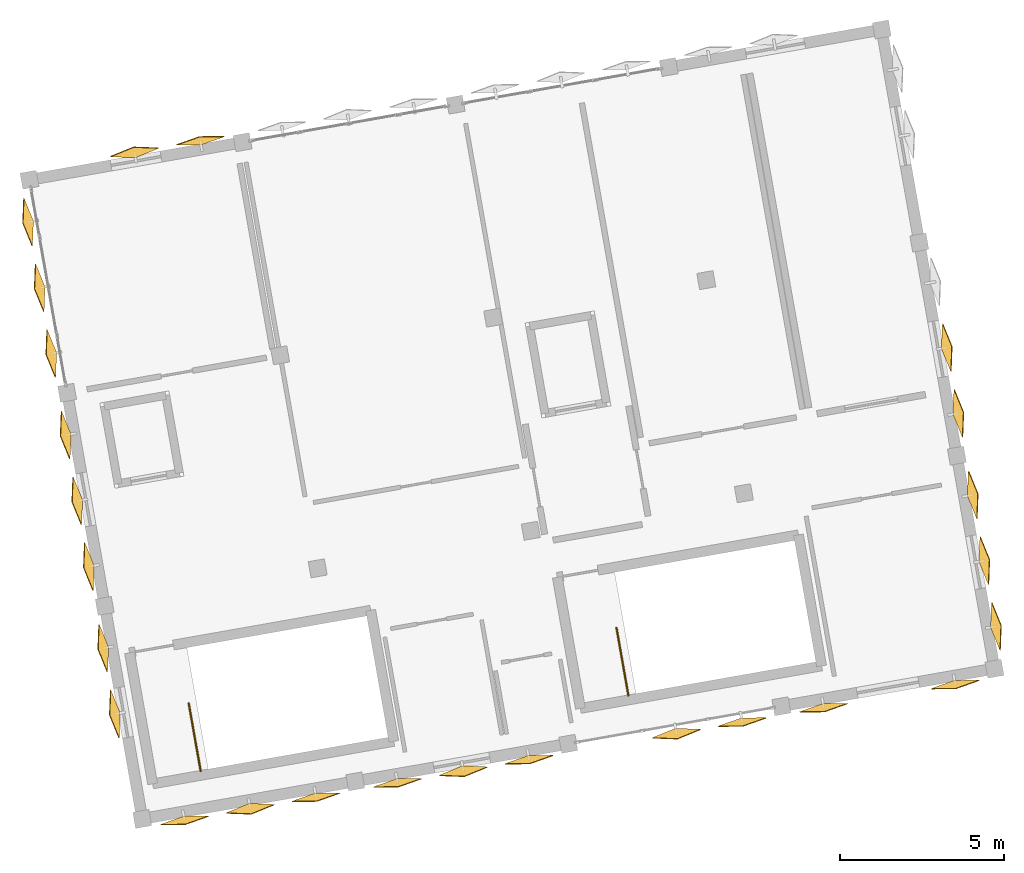
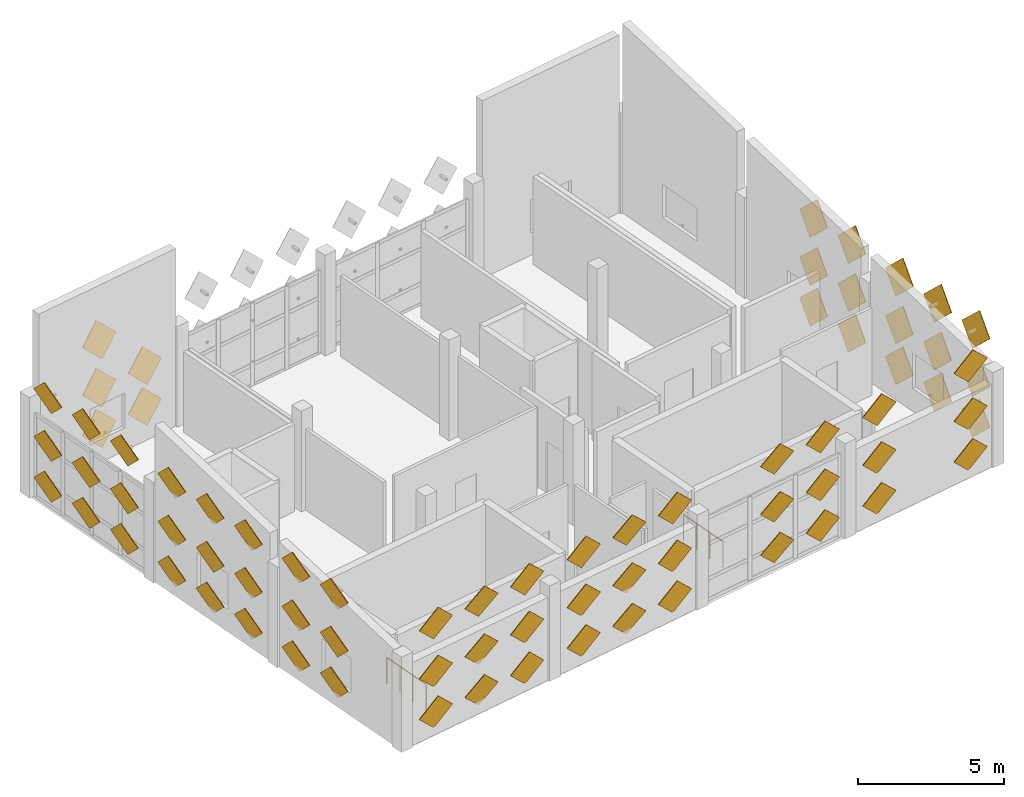
# One storey, part 10 of 11: 74 coverings, 2 railings.
"""IFC4 building model written with IfcOpenShell, lengths in metres."""

from ifc_helpers import new_model, si_unit, direction, frame, origin, origin_2d, place, context, subcontext, project, spatial, polyline, circle, outline, extrude, material, type_object, element, save


model = new_model("IFC4")

# Units and contexts
model_context = context("Model", 3, precision=1e-05, world=origin(), true_north=direction((0.0, 1.0)))
body_context = subcontext(model_context, "Body", "Model", "MODEL_VIEW")
ifc_project = project(units=[si_unit("LENGTHUNIT", "METRE"), si_unit("AREAUNIT", "SQUARE_METRE"), si_unit("VOLUMEUNIT", "CUBIC_METRE"), si_unit("PLANEANGLEUNIT", "RADIAN"), si_unit("MASSUNIT", "GRAM", prefix="KILO")], contexts=[model_context])

# Site, building, storey
site_placement = place(None, origin())
site = spatial("IfcSite", under=ifc_project, at=site_placement, CompositionType="ELEMENT")
building_placement = place(site_placement, origin())
building = spatial("IfcBuilding", under=site, at=building_placement, Name="Kharisveld Research Institute", CompositionType="ELEMENT")
storey_placement = place(building_placement, frame((0.0, 0.0, 49.199951171875)))
storey = spatial("IfcBuildingStorey", under=building, at=storey_placement, Name="L11", CompositionType="ELEMENT", Elevation=49.199951171875)

# Railings
ifc_material_1 = material(Name="Steel S355JR", Category="steel")
railing_type = type_object("IfcRailingType", Name="RL_GRD_STR", PredefinedType="GUARDRAIL", material=ifc_material_1)
railing_1_placement = place(storey_placement, frame((6.983154296875, 36.471923828125, 0.0)))
element("IfcRailing", 1, at=railing_1_placement, inside=storey, type_object=railing_type, Name="RLG:STR:ST1:L11:TOPVOID", PredefinedType="GUARDRAIL", context=body_context, shape_type="SweptSolid", body=[
    extrude(circle(Radius=0.02392578125, at=origin_2d()), frame((0.0, 0.0, 1.09619140625), z_axis=(-0.173573100618, 0.984820988171, 0.0), x_axis=(-0.984820988171, -0.173573100618, 0.0)), (0.0, 0.0, 1.0), 2.10009765625),
    extrude(circle(Radius=0.02099609375, at=origin_2d()), origin(), (0.0, 0.0, 1.0), 1.072021484375),
    extrude(circle(Radius=0.02099609375, at=origin_2d()), frame((-0.12158203125, 0.689453125, 0.0)), (0.0, 0.0, 1.0), 1.072021484375),
    extrude(circle(Radius=0.02099609375, at=origin_2d()), frame((-0.242919921875, 1.378662109375, 0.0)), (0.0, 0.0, 1.0), 1.072021484375),
    extrude(circle(Radius=0.02099609375, at=origin_2d()), frame((-0.364501953125, 2.068115234375, 0.0)), (0.0, 0.0, 1.0), 1.072021484375),
])
railing_2_placement = place(storey_placement, frame((20.031982421875, 38.772705078125, 0.0)))
element("IfcRailing", 2, at=railing_2_placement, inside=storey, type_object=railing_type, Name="RLG:STR:ST2:L11:TOPVOID", PredefinedType="GUARDRAIL", context=body_context, shape_type="SweptSolid", body=[
    extrude(circle(Radius=0.02392578125, at=origin_2d()), frame((0.0, 0.0, 1.09619140625), z_axis=(-0.173685852567, 0.984801109168, 0.0), x_axis=(-0.984801109168, -0.173685852567, 0.0)), (0.0, 0.0, 1.0), 2.10009765625),
    extrude(circle(Radius=0.02099609375, at=origin_2d()), origin(), (0.0, 0.0, 1.0), 1.072021484375),
    extrude(circle(Radius=0.02099609375, at=origin_2d()), frame((-0.12158203125, 0.689453125, 0.0)), (0.0, 0.0, 1.0), 1.072021484375),
    extrude(circle(Radius=0.02099609375, at=origin_2d()), frame((-0.2431640625, 1.378662109375, 0.0)), (0.0, 0.0, 1.0), 1.072021484375),
    extrude(circle(Radius=0.02099609375, at=origin_2d()), frame((-0.36474609375, 2.068115234375, 0.0)), (0.0, 0.0, 1.0), 1.072021484375),
])

# Coverings
ifc_material_2 = material(Name="White Powder-Coated Perforated Aluminium", Category="aluminium")
covering_type = type_object("IfcCoveringType", Name="CV_DIA_105", PredefinedType="CLADDING")
for number, where, z_axis, x_axis, name in (
    (3, (4.529052734375, 38.24267578125, 0.3251953125), (0.961476347302, 0.169530643305, 0.21638529192), (-0.273471090272, 0.669725119033, 0.690421485559), "SHD:V1:L11:W0:S1C0"),
    (4, (4.529052734375, 38.24267578125, 2.025146484375), (0.961476347302, 0.169530643305, 0.21638529192), (-0.273471090272, 0.669725119033, 0.690421485559), "SHD:V1:L11:W0:S1C1"),
    (5, (4.529052734375, 38.24267578125, 4.025146484375), (0.961476347302, 0.169530643305, 0.21638529192), (-0.273471090272, 0.669725119033, 0.690421485559), "SHD:V1:L11:W0:S1C2"),
):
    element("IfcCovering", number, at=place(storey_placement, frame(where, z_axis=z_axis, x_axis=x_axis)), inside=storey, type_object=covering_type, material=ifc_material_2, Name=name, PredefinedType="CLADDING", context=body_context, shape_type="SweptSolid", body=[
        extrude(outline(polyline([(0.0, 0.0), (1.0498710291992122, 0.0), (1.0499937163043682, 1.0499534820137317), (0.00012268710515594972, 1.049953482013732), (0.0, 0.0)])), origin(), (0.0, 0.0, -1.0), 0.02392578125),
    ])
for number, where, z_axis, x_axis, name in (
    (6, (4.175537109375, 40.248291015625, 0.3251953125), (0.961453431325, 0.169498301082, 0.216512413788), (-0.273535968092, 0.669834388355, 0.690289769834), "SHD:V1:L11:W0:S2C0"),
    (7, (4.175537109375, 40.248291015625, 2.025146484375), (0.961453431325, 0.169498301082, 0.216512413788), (-0.273535968092, 0.669834388355, 0.690289769834), "SHD:V1:L11:W0:S2C1"),
    (8, (4.175537109375, 40.248291015625, 4.025146484375), (0.961453431325, 0.169498301082, 0.216512413788), (-0.273535968092, 0.669834388355, 0.690289769834), "SHD:V1:L11:W0:S2C2"),
):
    element("IfcCovering", number, at=place(storey_placement, frame(where, z_axis=z_axis, x_axis=x_axis)), inside=storey, type_object=covering_type, material=ifc_material_2, Name=name, PredefinedType="CLADDING", context=body_context, shape_type="SweptSolid", body=[
        extrude(outline(polyline([(0.0, 0.0), (1.0500345454011688, 0.0), (1.0500475008163912, 1.049960323165551), (-5.3825826987430325e-05, 1.0499534812424507), (0.0, 0.0)])), origin(), (0.0, 0.0, -1.0), 0.02392578125),
    ])
for number, where, z_axis, x_axis, name in (
    (9, (3.73681640625, 42.736572265625, 0.3251953125), (0.961425979727, 0.169653966706, 0.216512394765), (-0.27364360613, 0.669810730042, 0.69027006508), "SHD:V1:L11:W1:S0C0"),
    (10, (3.73681640625, 42.736572265625, 2.025146484375), (0.961425979727, 0.169653966706, 0.216512394765), (-0.27364360613, 0.669810730042, 0.69027006508), "SHD:V1:L11:W1:S0C1"),
    (11, (3.73681640625, 42.736572265625, 4.025146484375), (0.961425979727, 0.169653966706, 0.216512394765), (-0.27364360613, 0.669810730042, 0.69027006508), "SHD:V1:L11:W1:S0C2"),
):
    element("IfcCovering", number, at=place(storey_placement, frame(where, z_axis=z_axis, x_axis=x_axis)), inside=storey, type_object=covering_type, material=ifc_material_2, Name=name, PredefinedType="CLADDING", context=body_context, shape_type="SweptSolid", body=[
        extrude(outline(polyline([(0.0, 0.0), (1.0501013332243323, 1.1102230246251565e-16), (1.050054335240126, 1.049953488129867), (-4.699798420648715e-05, 1.049953488129867), (0.0, 0.0)])), origin(), (0.0, 0.0, -1.0), 0.02392578125),
    ])
for number, where, z_axis, x_axis, name in (
    (12, (3.383056640625, 44.742431640625, 0.3251953125), (0.961481187298, 0.169503194288, 0.216385289699), (-0.273452141042, 0.669728459805, 0.690425750307), "SHD:V1:L11:W1:S1C0"),
    (13, (3.383056640625, 44.742431640625, 2.025146484375), (0.961481187298, 0.169503194288, 0.216385289699), (-0.273452141042, 0.669728459805, 0.690425750307), "SHD:V1:L11:W1:S1C1"),
    (14, (3.383056640625, 44.742431640625, 4.025146484375), (0.961481187298, 0.169503194288, 0.216385289699), (-0.273452141042, 0.669728459805, 0.690425750307), "SHD:V1:L11:W1:S1C2"),
):
    element("IfcCovering", number, at=place(storey_placement, frame(where, z_axis=z_axis, x_axis=x_axis)), inside=storey, type_object=covering_type, material=ifc_material_2, Name=name, PredefinedType="CLADDING", context=body_context, shape_type="SweptSolid", body=[
        extrude(outline(polyline([(0.0, 0.0), (1.0498710289953155, -1.1102230246251565e-16), (1.0499937165082887, 1.0499534818098035), (-4.082041178410378e-05, 1.0501299960653954), (0.0, 0.0)])), origin(), (0.0, 0.0, -1.0), 0.02392578125),
    ])
for number, where, z_axis, x_axis, name in (
    (15, (3.029541015625, 46.748046875, 0.3251953125), (0.961453431325, 0.169498301082, 0.216512413788), (-0.273536150679, 0.669829678259, 0.690294267972), "SHD:V1:L11:W1:S2C0"),
    (16, (3.029541015625, 46.748046875, 2.025146484375), (0.961453431325, 0.169498301082, 0.216512413788), (-0.273536150679, 0.669829678259, 0.690294267972), "SHD:V1:L11:W1:S2C1"),
    (17, (3.029541015625, 46.748046875, 4.025146484375), (0.961453431325, 0.169498301082, 0.216512413788), (-0.273536150679, 0.669829678259, 0.690294267972), "SHD:V1:L11:W1:S2C2"),
):
    element("IfcCovering", number, at=place(storey_placement, frame(where, z_axis=z_axis, x_axis=x_axis)), inside=storey, type_object=covering_type, material=ifc_material_2, Name=name, PredefinedType="CLADDING", context=body_context, shape_type="SweptSolid", body=[
        extrude(outline(polyline([(0.0, 0.0), (1.050101326665668, -1.1102230246251565e-16), (1.050054341798497, 1.049953481570866), (1.9796419616024963e-05, 1.0499603230588543), (0.0, 0.0)])), origin(), (0.0, 0.0, -1.0), 0.02392578125),
    ])
for number, where, z_axis, x_axis, name in (
    (18, (2.590576171875, 49.236328125, 0.3251953125), (0.961487125864, 0.169504241221, 0.216358080518), (-0.27342850239, 0.669853329409, 0.690313965642), "SHD:V1:L11:W2:S0C0"),
    (19, (2.590576171875, 49.236328125, 2.025146484375), (0.961487125864, 0.169504241221, 0.216358080518), (-0.27342850239, 0.669853329409, 0.690313965642), "SHD:V1:L11:W2:S0C1"),
    (20, (2.590576171875, 49.236328125, 4.025146484375), (0.961487125864, 0.169504241221, 0.216358080518), (-0.27342850239, 0.669853329409, 0.690313965642), "SHD:V1:L11:W2:S0C2"),
):
    element("IfcCovering", number, at=place(storey_placement, frame(where, z_axis=z_axis, x_axis=x_axis)), inside=storey, type_object=covering_type, material=ifc_material_2, Name=name, PredefinedType="CLADDING", context=body_context, shape_type="SweptSolid", body=[
        extrude(outline(polyline([(0.0, 0.0), (1.0500345519602505, 0.0), (1.0499807392517624, 1.0499534878027108), (-5.381270848814346e-05, 1.049953487802711), (0.0, 0.0)])), origin(), (0.0, 0.0, -1.0), 0.02392578125),
    ])
for number, where, z_axis, x_axis, name in (
    (21, (2.237060546875, 51.2421875, 0.3251953125), (0.961420032054, 0.169652917176, 0.216539626071), (-0.273667258538, 0.669685861016, 0.690381835769), "SHD:V1:L11:W2:S1C0"),
    (22, (2.237060546875, 51.2421875, 2.025146484375), (0.961420032054, 0.169652917176, 0.216539626071), (-0.273667258538, 0.669685861016, 0.690381835769), "SHD:V1:L11:W2:S1C1"),
    (23, (2.237060546875, 51.2421875, 4.025146484375), (0.961420032054, 0.169652917176, 0.216539626071), (-0.273667258538, 0.669685861016, 0.690381835769), "SHD:V1:L11:W2:S1C2"),
):
    element("IfcCovering", number, at=place(storey_placement, frame(where, z_axis=z_axis, x_axis=x_axis)), inside=storey, type_object=covering_type, material=ifc_material_2, Name=name, PredefinedType="CLADDING", context=body_context, shape_type="SweptSolid", body=[
        extrude(outline(polyline([(0.0, 0.0), (1.0499378206599106, 0.0), (1.0500673127316735, 1.0499534809922781), (-3.40054528989997e-05, 1.0501299963078314), (0.0, 0.0)])), origin(), (0.0, 0.0, -1.0), 0.02392578125),
    ])
for number, where, z_axis, x_axis, name in (
    (24, (1.88330078125, 53.247802734375, 0.3251953125), (0.961481187298, 0.169503194288, 0.216385289699), (-0.273447448775, 0.669849989418, 0.690309701826), "SHD:V1:L11:W2:S2C0"),
    (25, (1.88330078125, 53.247802734375, 2.025146484375), (0.961481187298, 0.169503194288, 0.216385289699), (-0.273447448775, 0.669849989418, 0.690309701826), "SHD:V1:L11:W2:S2C1"),
    (26, (1.88330078125, 53.247802734375, 4.025146484375), (0.961481187298, 0.169503194288, 0.216385289699), (-0.273447448775, 0.669849989418, 0.690309701826), "SHD:V1:L11:W2:S2C2"),
):
    element("IfcCovering", number, at=place(storey_placement, frame(where, z_axis=z_axis, x_axis=x_axis)), inside=storey, type_object=covering_type, material=ifc_material_2, Name=name, PredefinedType="CLADDING", context=body_context, shape_type="SweptSolid", body=[
        extrude(outline(polyline([(0.0, 0.0), (1.0500345517563856, -1.1102230246251565e-16), (1.0498172010450848, 1.0501299743656882), (-5.381311622809637e-05, 1.0499534875988095), (0.0, 0.0)])), origin(), (0.0, 0.0, -1.0), 0.02392578125),
    ])
for number, where, z_axis, x_axis, name in (
    (27, (4.994384765625, 55.179931640625, 0.3251953125), (0.169497253476, -0.961447488939, 0.216539620108), (0.669826337005, 0.273555095257, 0.690290002907), "SHD:V1:L11:N0:S1C0"),
    (28, (4.994384765625, 55.179931640625, 2.025146484375), (0.169497253476, -0.961447488939, 0.216539620108), (0.669826337005, 0.273555095257, 0.690290002907), "SHD:V1:L11:N0:S1C1"),
    (29, (4.994384765625, 55.179931640625, 4.025146484375), (0.169497253476, -0.961447488939, 0.216539620108), (0.669826337005, 0.273555095257, 0.690290002907), "SHD:V1:L11:N0:S1C2"),
):
    element("IfcCovering", number, at=place(storey_placement, frame(where, z_axis=z_axis, x_axis=x_axis)), inside=storey, type_object=covering_type, material=ifc_material_2, Name=name, PredefinedType="CLADDING", context=body_context, shape_type="SweptSolid", body=[
        extrude(outline(polyline([(0.0, 0.0), (1.0501013287743868, 0.0), (1.0498908116789152, 1.0501299715118642), (1.9800637014233402e-05, 1.0499603251677767), (0.0, 0.0)])), origin(), (0.0, 0.0, -1.0), 0.02392578125),
    ])
covering_1_placement = place(storey_placement, frame((6.993408203125, 55.5712890625, 0.31787109375), z_axis=(0.171233283515, -0.971294856301, 0.165122574894), x_axis=(0.676169249711, 0.237752303341, 0.697329898973)))
element("IfcCovering", 30, at=covering_1_placement, inside=storey, type_object=covering_type, material=ifc_material_2, Name="SHD:V1:L11:N0:S2C0", PredefinedType="CLADDING", context=body_context, shape_type="SweptSolid", body=[
    extrude(outline(polyline([(0.0, 0.0), (1.0499451658186758, 1.1102230246251565e-16), (1.049821365379827, 1.0499129414516415), (-0.0001818454347816134, 1.049914834830723), (0.0, 0.0)])), origin(), (0.0, 0.0, -1.0), 0.02392578125),
])
covering_2_placement = place(storey_placement, frame((6.993408203125, 55.5712890625, 2.017822265625), z_axis=(0.171234061711, -0.9712992705, 0.165095800177), x_axis=(0.676172534966, 0.237733660148, 0.69733306948)))
element("IfcCovering", 31, at=covering_2_placement, inside=storey, type_object=covering_type, material=ifc_material_2, Name="SHD:V1:L11:N0:S2C1", PredefinedType="CLADDING", context=body_context, shape_type="SweptSolid", body=[
    extrude(outline(polyline([(0.0, 0.0), (1.049945167901042, 2.220446049250313e-16), (1.0499916144071415, 1.0500832207180806), (-0.0001818412696886762, 1.0499148369138707), (0.0, 0.0)])), origin(), (0.0, 0.0, -1.0), 0.02392578125),
])
for number, where, z_axis, x_axis, name in (
    (32, (29.57763671875, 49.361083984375, 0.3251953125), (-0.961481187298, -0.169503194288, 0.216385289699), (0.273452141042, -0.669728459805, 0.690425750307), "SHD:V1:L11:E2:S1C0"),
    (33, (29.57763671875, 49.361083984375, 2.025146484375), (-0.961481187298, -0.169503194288, 0.216385289699), (0.273452141042, -0.669728459805, 0.690425750307), "SHD:V1:L11:E2:S1C1"),
    (34, (29.57763671875, 49.361083984375, 4.025146484375), (-0.961481187298, -0.169503194288, 0.216385289699), (0.273452141042, -0.669728459805, 0.690425750307), "SHD:V1:L11:E2:S1C2"),
):
    element("IfcCovering", number, at=place(storey_placement, frame(where, z_axis=z_axis, x_axis=x_axis)), inside=storey, type_object=covering_type, material=ifc_material_2, Name=name, PredefinedType="CLADDING", context=body_context, shape_type="SweptSolid", body=[
        extrude(outline(polyline([(0.0, 0.0), (1.0498710289953155, -1.1102230246251565e-16), (1.0499937165082887, 1.0499534818098035), (-4.082041178410378e-05, 1.0501299960653954), (0.0, 0.0)])), origin(), (0.0, 0.0, -1.0), 0.02392578125),
    ])
for number, where, z_axis, x_axis, name in (
    (35, (29.93115234375, 47.35546875, 0.3251953125), (-0.961453431325, -0.169498301082, 0.216512413788), (0.273536150679, -0.669829678259, 0.690294267972), "SHD:V1:L11:E2:S2C0"),
    (36, (29.93115234375, 47.35546875, 2.025146484375), (-0.961453431325, -0.169498301082, 0.216512413788), (0.273536150679, -0.669829678259, 0.690294267972), "SHD:V1:L11:E2:S2C1"),
    (37, (29.93115234375, 47.35546875, 4.025146484375), (-0.961453431325, -0.169498301082, 0.216512413788), (0.273536150679, -0.669829678259, 0.690294267972), "SHD:V1:L11:E2:S2C2"),
):
    element("IfcCovering", number, at=place(storey_placement, frame(where, z_axis=z_axis, x_axis=x_axis)), inside=storey, type_object=covering_type, material=ifc_material_2, Name=name, PredefinedType="CLADDING", context=body_context, shape_type="SweptSolid", body=[
        extrude(outline(polyline([(0.0, 0.0), (1.050101326665668, -1.1102230246251565e-16), (1.050054341798497, 1.049953481570866), (1.9796419616024963e-05, 1.0499603230588543), (0.0, 0.0)])), origin(), (0.0, 0.0, -1.0), 0.02392578125),
    ])
for number, where, z_axis, x_axis, name in (
    (38, (30.3701171875, 44.8671875, 0.3251953125), (-0.961487125864, -0.169504241221, 0.216358080518), (0.27342850239, -0.669853329409, 0.690313965642), "SHD:V1:L11:E1:S0C0"),
    (39, (30.3701171875, 44.8671875, 2.025146484375), (-0.961487125864, -0.169504241221, 0.216358080518), (0.27342850239, -0.669853329409, 0.690313965642), "SHD:V1:L11:E1:S0C1"),
    (40, (30.3701171875, 44.8671875, 4.025146484375), (-0.961487125864, -0.169504241221, 0.216358080518), (0.27342850239, -0.669853329409, 0.690313965642), "SHD:V1:L11:E1:S0C2"),
):
    element("IfcCovering", number, at=place(storey_placement, frame(where, z_axis=z_axis, x_axis=x_axis)), inside=storey, type_object=covering_type, material=ifc_material_2, Name=name, PredefinedType="CLADDING", context=body_context, shape_type="SweptSolid", body=[
        extrude(outline(polyline([(0.0, 0.0), (1.0500345519602505, 0.0), (1.0499807392517624, 1.0499534878027108), (-5.381270848814346e-05, 1.049953487802711), (0.0, 0.0)])), origin(), (0.0, 0.0, -1.0), 0.02392578125),
    ])
for number, where, z_axis, x_axis, name in (
    (41, (30.7236328125, 42.861328125, 0.3251953125), (-0.961447488939, -0.169497253476, 0.216539620108), (0.273559622879, -0.669709514325, 0.690401549211), "SHD:V1:L11:E1:S1C0"),
    (42, (30.7236328125, 42.861328125, 2.025146484375), (-0.961447488939, -0.169497253476, 0.216539620108), (0.273559622879, -0.669709514325, 0.690401549211), "SHD:V1:L11:E1:S1C1"),
    (43, (30.7236328125, 42.861328125, 4.025146484375), (-0.961447488939, -0.169497253476, 0.216539620108), (0.273559622879, -0.669709514325, 0.690401549211), "SHD:V1:L11:E1:S1C2"),
):
    element("IfcCovering", number, at=place(storey_placement, frame(where, z_axis=z_axis, x_axis=x_axis)), inside=storey, type_object=covering_type, material=ifc_material_2, Name=name, PredefinedType="CLADDING", context=body_context, shape_type="SweptSolid", body=[
        extrude(outline(polyline([(0.0, 0.0), (1.0498710247482905, 1.1102230246251565e-16), (1.0500604861589913, 1.0499603082606803), (-4.0828905999434895e-05, 1.0501299918190874), (0.0, 0.0)])), origin(), (0.0, 0.0, -1.0), 0.02392578125),
    ])
for number, where, z_axis, x_axis, name in (
    (44, (31.077392578125, 40.855712890625, 0.3251953125), (-0.961481187298, -0.169503194288, 0.216385289699), (0.273447448775, -0.669849989418, 0.690309701826), "SHD:V1:L11:E1:S2C0"),
    (45, (31.077392578125, 40.855712890625, 2.025146484375), (-0.961481187298, -0.169503194288, 0.216385289699), (0.273447448775, -0.669849989418, 0.690309701826), "SHD:V1:L11:E1:S2C1"),
    (46, (31.077392578125, 40.855712890625, 4.025146484375), (-0.961481187298, -0.169503194288, 0.216385289699), (0.273447448775, -0.669849989418, 0.690309701826), "SHD:V1:L11:E1:S2C2"),
):
    element("IfcCovering", number, at=place(storey_placement, frame(where, z_axis=z_axis, x_axis=x_axis)), inside=storey, type_object=covering_type, material=ifc_material_2, Name=name, PredefinedType="CLADDING", context=body_context, shape_type="SweptSolid", body=[
        extrude(outline(polyline([(0.0, 0.0), (1.0500345517563856, -1.1102230246251565e-16), (1.0498172010450848, 1.0501299743656882), (-5.381311622809637e-05, 1.0499534875988095), (0.0, 0.0)])), origin(), (0.0, 0.0, -1.0), 0.02392578125),
    ])
covering_3_placement = place(storey_placement, frame((29.978759765625, 39.239501953125, 0.31787109375), z_axis=(-0.171237860122, 0.971320816414, 0.164965047395), x_axis=(-0.676188582115, -0.237642617236, 0.697348541184)))
element("IfcCovering", 47, at=covering_3_placement, inside=storey, type_object=covering_type, material=ifc_material_2, Name="SHD:V1:L11:S4:S0C0", PredefinedType="CLADDING", context=body_context, shape_type="SweptSolid", body=[
    extrude(outline(polyline([(0.0, 0.0), (1.0499451725132918, 1.1102230246251565e-16), (1.0497633404689015, 1.0499148415278516), (-0.0001818320443901511, 1.0499148415278516), (0.0, 0.0)])), origin(), (0.0, 0.0, -1.0), 0.02392578125),
])
for number, where, z_axis, x_axis, name in (
    (48, (29.978759765625, 39.239501953125, 2.017822265625), (-0.171238636855, 0.971325222312, 0.164938296792), (-0.676191865964, -0.23762399085, 0.697351704219), "SHD:V1:L11:S4:S0C1"),
    (49, (29.978759765625, 39.239501953125, 4.017822265625), (-0.171238636855, 0.971325222312, 0.164938296792), (-0.676191865964, -0.23762399085, 0.697351704219), "SHD:V1:L11:S4:S0C2"),
):
    element("IfcCovering", number, at=place(storey_placement, frame(where, z_axis=z_axis, x_axis=x_axis)), inside=storey, type_object=covering_type, material=ifc_material_2, Name=name, PredefinedType="CLADDING", context=body_context, shape_type="SweptSolid", body=[
        extrude(outline(polyline([(0.0, 0.0), (1.0499451723202433, -1.1102230246251565e-16), (1.0499335917706356, 1.0500851276195962), (-0.00018183243052050102, 1.0499148413347306), (0.0, 0.0)])), origin(), (0.0, 0.0, -1.0), 0.02392578125),
    ])
covering_4_placement = place(storey_placement, frame((25.96728515625, 38.5322265625, 0.31787109375), z_axis=(-0.171233283515, 0.971294856301, 0.165122574894), x_axis=(-0.676169249711, -0.237752303341, 0.697329898973)))
element("IfcCovering", 50, at=covering_4_placement, inside=storey, type_object=covering_type, material=ifc_material_2, Name="SHD:V1:L11:S4:S2C0", PredefinedType="CLADDING", context=body_context, shape_type="SweptSolid", body=[
    extrude(outline(polyline([(0.0, 0.0), (1.0499451658186758, 1.1102230246251565e-16), (1.049821365379827, 1.0499129414516415), (-0.0001818454347816134, 1.049914834830723), (0.0, 0.0)])), origin(), (0.0, 0.0, -1.0), 0.02392578125),
])
for number, where, z_axis, x_axis, name in (
    (51, (25.96728515625, 38.5322265625, 2.017822265625), (-0.171234061711, 0.9712992705, 0.165095800177), (-0.676172534966, -0.237733660148, 0.69733306948), "SHD:V1:L11:S4:S2C1"),
    (52, (25.96728515625, 38.5322265625, 4.017822265625), (-0.171234061711, 0.9712992705, 0.165095800177), (-0.676172534966, -0.237733660148, 0.69733306948), "SHD:V1:L11:S4:S2C2"),
):
    element("IfcCovering", number, at=place(storey_placement, frame(where, z_axis=z_axis, x_axis=x_axis)), inside=storey, type_object=covering_type, material=ifc_material_2, Name=name, PredefinedType="CLADDING", context=body_context, shape_type="SweptSolid", body=[
        extrude(outline(polyline([(0.0, 0.0), (1.049945167901042, 2.220446049250313e-16), (1.0499916144071415, 1.0500832207180806), (-0.0001818412696886762, 1.0499148369138707), (0.0, 0.0)])), origin(), (0.0, 0.0, -1.0), 0.02392578125),
    ])
covering_5_placement = place(storey_placement, frame((23.47900390625, 38.093505859375, 0.31787109375), z_axis=(-0.171233283515, 0.971294856301, 0.165122574894), x_axis=(-0.676169249711, -0.237752303341, 0.697329898973)))
element("IfcCovering", 53, at=covering_5_placement, inside=storey, type_object=covering_type, material=ifc_material_2, Name="SHD:V1:L11:S3:S0C0", PredefinedType="CLADDING", context=body_context, shape_type="SweptSolid", body=[
    extrude(outline(polyline([(0.0, 0.0), (1.0499451658186758, 1.1102230246251565e-16), (1.049821365379827, 1.0499129414516415), (-0.0001818454347816134, 1.049914834830723), (0.0, 0.0)])), origin(), (0.0, 0.0, -1.0), 0.02392578125),
])
for number, where, z_axis, x_axis, name in (
    (54, (23.47900390625, 38.093505859375, 2.017822265625), (-0.171234061711, 0.9712992705, 0.165095800177), (-0.676172534966, -0.237733660148, 0.69733306948), "SHD:V1:L11:S3:S0C1"),
    (55, (23.47900390625, 38.093505859375, 4.017822265625), (-0.171234061711, 0.9712992705, 0.165095800177), (-0.676172534966, -0.237733660148, 0.69733306948), "SHD:V1:L11:S3:S0C2"),
):
    element("IfcCovering", number, at=place(storey_placement, frame(where, z_axis=z_axis, x_axis=x_axis)), inside=storey, type_object=covering_type, material=ifc_material_2, Name=name, PredefinedType="CLADDING", context=body_context, shape_type="SweptSolid", body=[
        extrude(outline(polyline([(0.0, 0.0), (1.049945167901042, 2.220446049250313e-16), (1.0499916144071415, 1.0500832207180806), (-0.0001818412696886762, 1.0499148369138707), (0.0, 0.0)])), origin(), (0.0, 0.0, -1.0), 0.02392578125),
    ])
for number, where, z_axis, x_axis, name in (
    (56, (21.466552734375, 37.77734375, 0.3251953125), (-0.169503194288, 0.961481187298, 0.216385289699), (-0.669849989418, -0.273447448775, 0.690309701826), "SHD:V1:L11:S3:S1C0"),
    (57, (21.466552734375, 37.77734375, 2.025146484375), (-0.169503194288, 0.961481187298, 0.216385289699), (-0.669849989418, -0.273447448775, 0.690309701826), "SHD:V1:L11:S3:S1C1"),
    (58, (21.466552734375, 37.77734375, 4.025146484375), (-0.169503194288, 0.961481187298, 0.216385289699), (-0.669849989418, -0.273447448775, 0.690309701826), "SHD:V1:L11:S3:S1C2"),
):
    element("IfcCovering", number, at=place(storey_placement, frame(where, z_axis=z_axis, x_axis=x_axis)), inside=storey, type_object=covering_type, material=ifc_material_2, Name=name, PredefinedType="CLADDING", context=body_context, shape_type="SweptSolid", body=[
        extrude(outline(polyline([(0.0, 0.0), (1.0500345517563856, -1.1102230246251565e-16), (1.0498172010450848, 1.0501299743656882), (-5.381311622809637e-05, 1.0499534875988095), (0.0, 0.0)])), origin(), (0.0, 0.0, -1.0), 0.02392578125),
    ])
covering_6_placement = place(storey_placement, frame((16.979248046875, 36.947509765625, 0.31787109375), z_axis=(-0.171233283515, 0.971294856301, 0.165122574894), x_axis=(-0.67617054184, -0.237752317325, 0.697328641284)))
element("IfcCovering", 59, at=covering_6_placement, inside=storey, type_object=covering_type, material=ifc_material_2, Name="SHD:V1:L11:S2:S0C0", PredefinedType="CLADDING", context=body_context, shape_type="SweptSolid", body=[
    extrude(outline(polyline([(0.0, 0.0), (1.0500032108163153, 0.0), (1.0498194721618133, 1.0499148345011098), (-0.0001256936551553567, 1.0499129412266959), (0.0, 0.0)])), origin(), (0.0, 0.0, -1.0), 0.02392578125),
])
for number, where, z_axis, x_axis, name in (
    (60, (16.979248046875, 36.947509765625, 2.017822265625), (-0.171234061711, 0.9712992705, 0.165095800177), (-0.676173830196, -0.2377336742, 0.697331808761), "SHD:V1:L11:S2:S0C1"),
    (61, (16.979248046875, 36.947509765625, 4.017822265625), (-0.171234061711, 0.9712992705, 0.165095800177), (-0.676173830196, -0.2377336742, 0.697331808761), "SHD:V1:L11:S2:S0C2"),
):
    element("IfcCovering", number, at=place(storey_placement, frame(where, z_axis=z_axis, x_axis=x_axis)), inside=storey, type_object=covering_type, material=ifc_material_2, Name=name, PredefinedType="CLADDING", context=body_context, shape_type="SweptSolid", body=[
        extrude(outline(polyline([(0.0, 0.0), (1.0500032083471293, -1.1102230246251565e-16), (1.0499897163291267, 1.0500851186270816), (-0.00012569859382338677, 1.049912938756706), (0.0, 0.0)])), origin(), (0.0, 0.0, -1.0), 0.02392578125),
    ])
for number, where, z_axis, x_axis, name in (
    (62, (14.966796875, 36.63134765625, 0.3251953125), (-0.16952470156, 0.961442649282, 0.216539621552), (-0.66970617229, -0.273578570302, 0.690397283213), "SHD:V1:L11:S2:S1C0"),
    (63, (14.966796875, 36.63134765625, 2.025146484375), (-0.16952470156, 0.961442649282, 0.216539621552), (-0.66970617229, -0.273578570302, 0.690397283213), "SHD:V1:L11:S2:S1C1"),
    (64, (14.966796875, 36.63134765625, 4.025146484375), (-0.16952470156, 0.961442649282, 0.216539621552), (-0.66970617229, -0.273578570302, 0.690397283213), "SHD:V1:L11:S2:S1C2"),
):
    element("IfcCovering", number, at=place(storey_placement, frame(where, z_axis=z_axis, x_axis=x_axis)), inside=storey, type_object=covering_type, material=ifc_material_2, Name=name, PredefinedType="CLADDING", context=body_context, shape_type="SweptSolid", body=[
        extrude(outline(polyline([(0.0, 0.0), (1.0498710226392558, 0.0), (1.0500604882684064, 1.0499603061510638), (0.00012267398601040203, 1.0499534754558235), (0.0, 0.0)])), origin(), (0.0, 0.0, -1.0), 0.02392578125),
    ])
covering_7_placement = place(storey_placement, frame((12.9677734375, 36.239990234375, 0.31787109375), z_axis=(-0.171237860122, 0.971320816414, 0.164965047395), x_axis=(-0.676188582115, -0.237642617236, 0.697348541184)))
element("IfcCovering", 65, at=covering_7_placement, inside=storey, type_object=covering_type, material=ifc_material_2, Name="SHD:V1:L11:S2:S2C0", PredefinedType="CLADDING", context=body_context, shape_type="SweptSolid", body=[
    extrude(outline(polyline([(0.0, 0.0), (1.0499451725132918, 1.1102230246251565e-16), (1.0497633404689015, 1.0499148415278516), (-0.0001818320443901511, 1.0499148415278516), (0.0, 0.0)])), origin(), (0.0, 0.0, -1.0), 0.02392578125),
])
for number, where, z_axis, x_axis, name in (
    (66, (12.9677734375, 36.239990234375, 2.017822265625), (-0.171238636855, 0.971325222312, 0.164938296792), (-0.676191865964, -0.23762399085, 0.697351704219), "SHD:V1:L11:S2:S2C1"),
    (67, (12.9677734375, 36.239990234375, 4.017822265625), (-0.171238636855, 0.971325222312, 0.164938296792), (-0.676191865964, -0.23762399085, 0.697351704219), "SHD:V1:L11:S2:S2C2"),
):
    element("IfcCovering", number, at=place(storey_placement, frame(where, z_axis=z_axis, x_axis=x_axis)), inside=storey, type_object=covering_type, material=ifc_material_2, Name=name, PredefinedType="CLADDING", context=body_context, shape_type="SweptSolid", body=[
        extrude(outline(polyline([(0.0, 0.0), (1.0499451723202433, -1.1102230246251565e-16), (1.0499335917706356, 1.0500851276195962), (-0.00018183243052050102, 1.0499148413347306), (0.0, 0.0)])), origin(), (0.0, 0.0, -1.0), 0.02392578125),
    ])
covering_8_placement = place(storey_placement, frame((10.4794921875, 35.80126953125, 0.31787109375), z_axis=(-0.171237860122, 0.971320816414, 0.164965047395), x_axis=(-0.676188582115, -0.237642617236, 0.697348541184)))
element("IfcCovering", 68, at=covering_8_placement, inside=storey, type_object=covering_type, material=ifc_material_2, Name="SHD:V1:L11:S1:S0C0", PredefinedType="CLADDING", context=body_context, shape_type="SweptSolid", body=[
    extrude(outline(polyline([(0.0, 0.0), (1.0499451725132918, 1.1102230246251565e-16), (1.0497633404689015, 1.0499148415278516), (-0.0001818320443901511, 1.0499148415278516), (0.0, 0.0)])), origin(), (0.0, 0.0, -1.0), 0.02392578125),
])
for number, where, z_axis, x_axis, name in (
    (69, (10.4794921875, 35.80126953125, 2.017822265625), (-0.171238636855, 0.971325222312, 0.164938296792), (-0.676191865964, -0.23762399085, 0.697351704219), "SHD:V1:L11:S1:S0C1"),
    (70, (10.4794921875, 35.80126953125, 4.017822265625), (-0.171238636855, 0.971325222312, 0.164938296792), (-0.676191865964, -0.23762399085, 0.697351704219), "SHD:V1:L11:S1:S0C2"),
):
    element("IfcCovering", number, at=place(storey_placement, frame(where, z_axis=z_axis, x_axis=x_axis)), inside=storey, type_object=covering_type, material=ifc_material_2, Name=name, PredefinedType="CLADDING", context=body_context, shape_type="SweptSolid", body=[
        extrude(outline(polyline([(0.0, 0.0), (1.0499451723202433, -1.1102230246251565e-16), (1.0499335917706356, 1.0500851276195962), (-0.00018183243052050102, 1.0499148413347306), (0.0, 0.0)])), origin(), (0.0, 0.0, -1.0), 0.02392578125),
    ])
for number, where, z_axis, x_axis, name in (
    (71, (8.467041015625, 35.4853515625, 0.3251953125), (-0.169497253476, 0.961447488939, 0.216539620108), (-0.669704807286, -0.273559805143, 0.690406042925), "SHD:V1:L11:S1:S1C0"),
    (72, (8.467041015625, 35.4853515625, 2.025146484375), (-0.169497253476, 0.961447488939, 0.216539620108), (-0.669704807286, -0.273559805143, 0.690406042925), "SHD:V1:L11:S1:S1C1"),
    (73, (8.467041015625, 35.4853515625, 4.025146484375), (-0.169497253476, 0.961447488939, 0.216539620108), (-0.669704807286, -0.273559805143, 0.690406042925), "SHD:V1:L11:S1:S1C2"),
):
    element("IfcCovering", number, at=place(storey_placement, frame(where, z_axis=z_axis, x_axis=x_axis)), inside=storey, type_object=covering_type, material=ifc_material_2, Name=name, PredefinedType="CLADDING", context=body_context, shape_type="SweptSolid", body=[
        extrude(outline(polyline([(0.0, 0.0), (1.0499378117878446, 0.0), (1.0500673216048337, 1.0499534721181558), (3.2794728575202825e-05, 1.0501368269494782), (0.0, 0.0)])), origin(), (0.0, 0.0, -1.0), 0.02392578125),
    ])
covering_9_placement = place(storey_placement, frame((6.468017578125, 35.093994140625, 0.31787109375), z_axis=(-0.171233283515, 0.971294856301, 0.165122574894), x_axis=(-0.676169249711, -0.237752303341, 0.697329898973)))
element("IfcCovering", 74, at=covering_9_placement, inside=storey, type_object=covering_type, material=ifc_material_2, Name="SHD:V1:L11:S1:S2C0", PredefinedType="CLADDING", context=body_context, shape_type="SweptSolid", body=[
    extrude(outline(polyline([(0.0, 0.0), (1.0499451658186758, 1.1102230246251565e-16), (1.049821365379827, 1.0499129414516415), (-0.0001818454347816134, 1.049914834830723), (0.0, 0.0)])), origin(), (0.0, 0.0, -1.0), 0.02392578125),
])
for number, where, z_axis, x_axis, name in (
    (75, (6.468017578125, 35.093994140625, 2.017822265625), (-0.171234061711, 0.9712992705, 0.165095800177), (-0.676172534966, -0.237733660148, 0.69733306948), "SHD:V1:L11:S1:S2C1"),
    (76, (6.468017578125, 35.093994140625, 4.017822265625), (-0.171234061711, 0.9712992705, 0.165095800177), (-0.676172534966, -0.237733660148, 0.69733306948), "SHD:V1:L11:S1:S2C2"),
):
    element("IfcCovering", number, at=place(storey_placement, frame(where, z_axis=z_axis, x_axis=x_axis)), inside=storey, type_object=covering_type, material=ifc_material_2, Name=name, PredefinedType="CLADDING", context=body_context, shape_type="SweptSolid", body=[
        extrude(outline(polyline([(0.0, 0.0), (1.049945167901042, 2.220446049250313e-16), (1.0499916144071415, 1.0500832207180806), (-0.0001818412696886762, 1.0499148369138707), (0.0, 0.0)])), origin(), (0.0, 0.0, -1.0), 0.02392578125),
    ])

save(model, "model.ifc")
